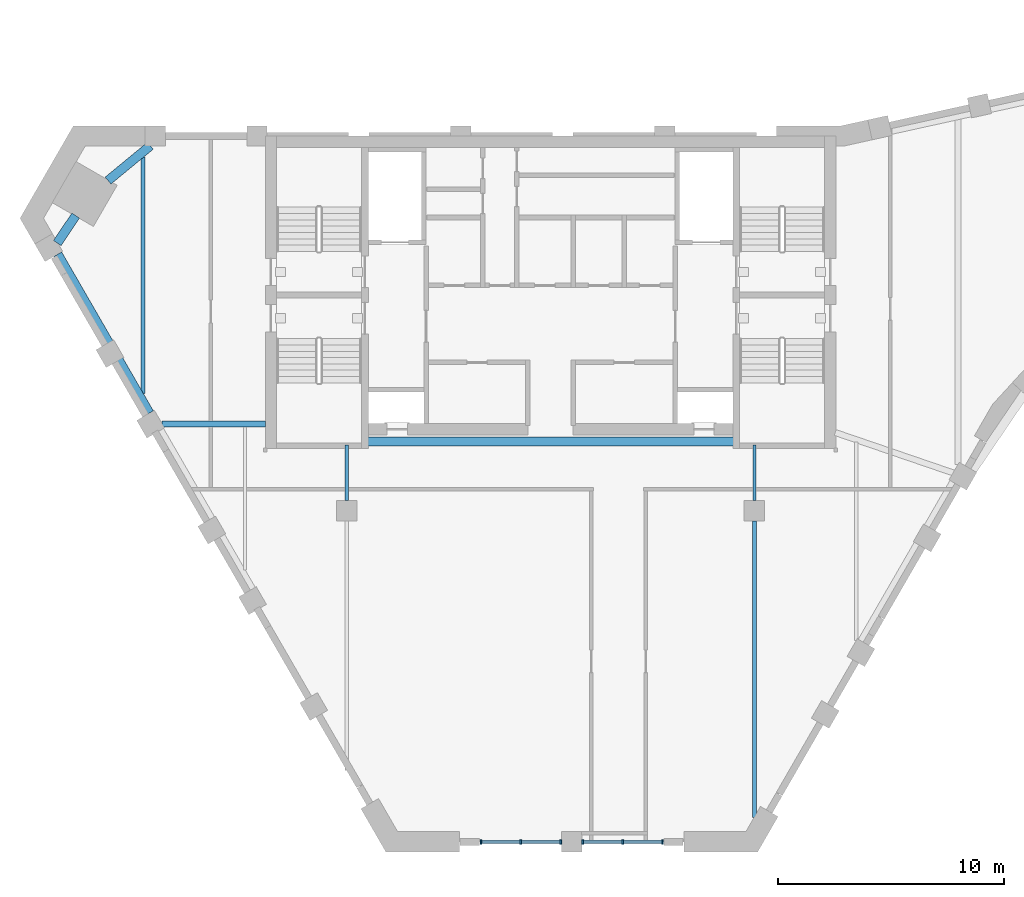
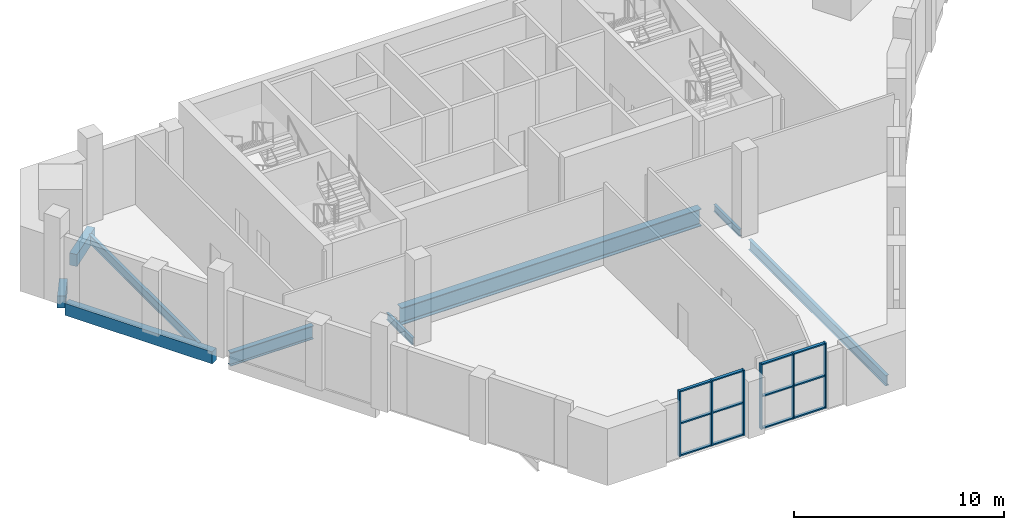
# One storey, part 2 of 9: 18 members, 9 beams, 2 elements without a shape of their own.
"""IFC4 building model written with IfcOpenShell, lengths in metres."""

from ifc_helpers import new_model, si_unit, direction, frame, origin, origin_2d, place, context, subcontext, project, spatial, rectangle, i_section, extrude, material, material_profile, profile_set, type_object, element, aggregate, save


model = new_model("IFC4")

# Units and contexts
model_context = context("Model", 3, precision=1e-05, world=origin(), true_north=direction((0.0, 1.0)))
body_context = subcontext(model_context, "Body", "Model", "MODEL_VIEW")
ifc_project = project(units=[si_unit("LENGTHUNIT", "METRE"), si_unit("AREAUNIT", "SQUARE_METRE"), si_unit("VOLUMEUNIT", "CUBIC_METRE"), si_unit("PLANEANGLEUNIT", "RADIAN"), si_unit("MASSUNIT", "GRAM", prefix="KILO")], contexts=[model_context])

# Site, building, storey
site_placement = place(None, origin())
site = spatial("IfcSite", under=ifc_project, at=site_placement, CompositionType="ELEMENT")
building_placement = place(site_placement, origin())
building = spatial("IfcBuilding", under=site, at=building_placement, Name="Calabash Gate Tower", CompositionType="ELEMENT")
storey_placement = place(building_placement, frame((0.0, 0.0, 320.5)))
storey = spatial("IfcBuildingStorey", under=building, at=storey_placement, Name="L75", CompositionType="ELEMENT", Elevation=320.5)

# Beams
ifc_material_1 = material(Name="Concrete C50/60", Category="concrete")
ifc_material_profile_1 = material_profile(ifc_material_1, rectangle(XDim=0.39990234375, YDim=0.699951171875, at=origin_2d()))
ifc_profile_set_1 = profile_set([ifc_material_profile_1], Name="Concrete C50/60")
beam_type_1 = type_object("IfcBeamType", Name="Edge beam RC 400x700 Concrete C50/60", PredefinedType="BEAM", material=ifc_profile_set_1)
beam_1_placement = place(storey_placement, frame((-17.673095703125, 18.623046875, -0.550048828125), z_axis=(-0.77193605732, -0.635700183585, 0.0), x_axis=(0.635700183585, -0.77193605732, 0.0)))
element("IfcBeam", 1, at=beam_1_placement, inside=storey, type_object=beam_type_1, Name="Edge beam L75 10", PredefinedType="BEAM", context=body_context, shape_type="SweptSolid", body=[
    extrude(rectangle(XDim=0.39990234375, YDim=0.699951171875, at=origin_2d()), origin(), (0.0, 0.0, 1.0), 2.421142578125),
])
beam_2_placement = place(storey_placement, frame((-20.97412109375, 15.535888671875, -0.550048828125), z_axis=(-0.556208441461, -0.831042820586, 0.0), x_axis=(0.831042820586, -0.556208441461, 0.0)))
element("IfcBeam", 2, at=beam_2_placement, inside=storey, type_object=beam_type_1, Name="Edge beam L75 11", PredefinedType="BEAM", context=body_context, shape_type="SweptSolid", body=[
    extrude(rectangle(XDim=0.39990234375, YDim=0.699951171875, at=origin_2d()), origin(), (0.0, 0.0, 1.0), 1.4560546875),
])
beam_3_placement = place(storey_placement, frame((-21.763916015625, 13.830078125, -0.550048828125), z_axis=(0.500016430238, -0.866015917575, 0.0), x_axis=(0.866015917575, 0.500016430238, 0.0)))
element("IfcBeam", 3, at=beam_3_placement, inside=storey, type_object=beam_type_1, Name="Edge beam L75 12", PredefinedType="BEAM", context=body_context, shape_type="SweptSolid", body=[
    extrude(rectangle(XDim=0.39990234375, YDim=0.699951171875, at=origin_2d()), origin(), (0.0, 0.0, 1.0), 8.099365234375),
])
ifc_material_2 = material(Name="Steel ASTM A992 Gr50", Category="steel")
ifc_material_profile_2 = material_profile(ifc_material_2, i_section(OverallWidth=0.1396484375, OverallDepth=0.398681640625, WebThickness=0.00634765625, FlangeThickness=0.0087890625, FilletRadius=0.01025390625, at=origin_2d()))
ifc_profile_set_2 = profile_set([ifc_material_profile_2], Name="Steel ASTM A992 Gr50")
beam_type_2 = type_object("IfcBeamType", Name="Floor beam W16x26 ASTM A992 Gr50", PredefinedType="BEAM", material=ifc_profile_set_2)
for number, where, z_axis, x_axis, name in (
    (4, (-9.0, 2.949951171875, -0.39892578125), (0.0, 1.0, 0.0), (-1.0, 0.0, 0.0), "Floor beam L75 4"),
    (5, (9.0, 2.949951171875, -0.39892578125), (0.0, 1.0, 0.0), (-1.0, 0.0, 0.0), "Floor beam L75 6"),
):
    element("IfcBeam", number, at=place(storey_placement, frame(where, z_axis=z_axis, x_axis=x_axis)), inside=storey, type_object=beam_type_2, Name=name, PredefinedType="BEAM", context=body_context, shape_type="SweptSolid", body=[
        extrude(i_section(OverallWidth=0.1396484375, OverallDepth=0.398681640625, WebThickness=0.00634765625, FlangeThickness=0.0087890625, FilletRadius=0.01025390625, at=origin_2d()), origin(), (0.0, 0.0, 1.0), 2.453125),
    ])
ifc_material_3 = material(Name="Steel ASTM A992 Gr50", Category="steel")
ifc_material_profile_3 = material_profile(ifc_material_3, i_section(OverallWidth=0.166015625, OverallDepth=0.5283203125, WebThickness=0.009765625, FlangeThickness=0.013671875, FilletRadius=0.0126953125, at=origin_2d()))
ifc_profile_set_3 = profile_set([ifc_material_profile_3], Name="Steel ASTM A992 Gr50")
beam_type_3 = type_object("IfcBeamType", Name="Floor beam W21x50 ASTM A992 Gr50", PredefinedType="BEAM", material=ifc_profile_set_3)
beam_4_placement = place(storey_placement, frame((-18.0, 7.679931640625, -0.464111328125), z_axis=(0.0, 1.0, 0.0), x_axis=(-1.0, 0.0, 0.0)))
element("IfcBeam", 6, at=beam_4_placement, inside=storey, type_object=beam_type_3, Name="Floor beam L75 1", PredefinedType="BEAM", context=body_context, shape_type="SweptSolid", body=[
    extrude(i_section(OverallWidth=0.166015625, OverallDepth=0.5283203125, WebThickness=0.009765625, FlangeThickness=0.013671875, FilletRadius=0.0126953125, at=origin_2d()), origin(), (0.0, 0.0, 1.0), 10.43701171875),
])
ifc_material_4 = material(Name="Steel ASTM A992 Gr50", Category="steel")
ifc_material_profile_4 = material_profile(ifc_material_4, i_section(OverallWidth=0.1787109375, OverallDepth=0.60205078125, WebThickness=0.010986328125, FlangeThickness=0.014892578125, FilletRadius=0.0126953125, at=origin_2d()))
ifc_profile_set_4 = profile_set([ifc_material_profile_4], Name="Steel ASTM A992 Gr50")
beam_type_4 = type_object("IfcBeamType", Name="Floor beam W24x62 ASTM A992 Gr50", PredefinedType="BEAM", material=ifc_profile_set_4)
beam_5_placement = place(storey_placement, frame((9.0, -11.041015625, -0.5009765625), z_axis=(0.0, 1.0, 0.0), x_axis=(-1.0, 0.0, 0.0)))
element("IfcBeam", 7, at=beam_5_placement, inside=storey, type_object=beam_type_4, Name="Floor beam L75 5", PredefinedType="BEAM", context=body_context, shape_type="SweptSolid", body=[
    extrude(i_section(OverallWidth=0.1787109375, OverallDepth=0.60205078125, WebThickness=0.010986328125, FlangeThickness=0.014892578125, FilletRadius=0.0126953125, at=origin_2d()), origin(), (0.0, 0.0, 1.0), 13.091064453125),
])
ifc_material_5 = material(Name="Steel ASTM A992 Gr50", Category="steel")
ifc_material_profile_5 = material_profile(ifc_material_5, i_section(OverallWidth=0.2666015625, OverallDepth=0.77978515625, WebThickness=0.0166015625, FlangeThickness=0.030029296875, FilletRadius=0.0166015625, at=origin_2d()))
ifc_profile_set_5 = profile_set([ifc_material_profile_5], Name="Steel ASTM A992 Gr50")
beam_type_5 = type_object("IfcBeamType", Name="Girder W30x148 ASTM A992 Gr50", PredefinedType="BEAM", material=ifc_profile_set_5)
beam_6_placement = place(storey_placement, frame((-17.1640625, 6.325927734375, -0.590087890625), z_axis=(1.0, 0.0, 0.0), x_axis=(0.0, 1.0, 0.0)))
element("IfcBeam", 8, at=beam_6_placement, inside=storey, type_object=beam_type_5, Name="Girder L75 2", PredefinedType="BEAM", context=body_context, shape_type="SweptSolid", body=[
    extrude(i_section(OverallWidth=0.2666015625, OverallDepth=0.77978515625, WebThickness=0.0166015625, FlangeThickness=0.030029296875, FilletRadius=0.0166015625, at=origin_2d()), origin(), (0.0, 0.0, 1.0), 4.56396484375),
])
ifc_material_6 = material(Name="Steel ASTM A992 Gr50", Category="steel")
ifc_material_profile_6 = material_profile(ifc_material_6, i_section(OverallWidth=0.4013671875, OverallDepth=1.000732421875, WebThickness=0.01904296875, FlangeThickness=0.0361328125, FilletRadius=0.030029296875, at=origin_2d()))
ifc_profile_set_6 = profile_set([ifc_material_profile_6], Name="Steel ASTM A992 Gr50")
beam_type_6 = type_object("IfcBeamType", Name="Girder W40x249 ASTM A992 Gr50", PredefinedType="BEAM", material=ifc_profile_set_6)
beam_7_placement = place(storey_placement, frame((-8.25, 5.552978515625, -0.699951171875), z_axis=(1.0, 0.0, 0.0), x_axis=(0.0, 1.0, 0.0)))
element("IfcBeam", 9, at=beam_7_placement, inside=storey, type_object=beam_type_6, Name="Girder L75 1", PredefinedType="BEAM", context=body_context, shape_type="SweptSolid", body=[
    extrude(i_section(OverallWidth=0.4013671875, OverallDepth=1.000732421875, WebThickness=0.01904296875, FlangeThickness=0.0361328125, FilletRadius=0.030029296875, at=origin_2d()), origin(), (0.0, 0.0, 1.0), 16.5),
])

# Curtain wall, members
ifc_material_7 = material(Name="Anodised aluminium frame, bronze finish, clear laminated impact-rated glazing", Category="aluminium")
curtain_wall_type = type_object("IfcCurtainWallType", Name="Curtain wall CWV crown wall", PredefinedType="NOTDEFINED", material=ifc_material_7)
curtain_wall_1_placement = place(storey_placement, origin())
curtain_wall_1 = element("IfcCurtainWall", 10, at=curtain_wall_1_placement, inside=storey, type_object=curtain_wall_type, Name="Curtain wall CWV L75 crown1.1", PredefinedType="NOTDEFINED")
ifc_material_8 = material(Name="Anodised aluminium frame, bronze finish", Category="aluminium")
ifc_material_profile_7 = material_profile(ifc_material_8, rectangle(XDim=0.199951171875, YDim=0.074951171875, at=origin_2d()))
ifc_profile_set_7 = profile_set([ifc_material_profile_7], Name="Anodised aluminium frame, bronze finish")
member_type_1 = type_object("IfcMemberType", Name="Mullion CWV 75x200", PredefinedType="MULLION", material=ifc_profile_set_7)
member_1_placement = place(storey_placement, frame((-3.07666015625, -12.1220703125, 0.0), z_axis=(0.0, 0.0, 1.0), x_axis=(0.0, 1.0, 0.0)))
member_1 = element("IfcMember", 11, at=member_1_placement, type_object=member_type_1, Name="CWV mullion 1", PredefinedType="MULLION", context=body_context, shape_type="SweptSolid", body=[
    extrude(rectangle(XDim=0.199951171875, YDim=0.074951171875, at=origin_2d()), origin(), (0.0, 0.0, 1.0), 3.800048828125),
])
member_2_placement = place(storey_placement, frame((-1.31396484375, -12.1220703125, 0.0), z_axis=(0.0, 0.0, 1.0), x_axis=(0.0, 1.0, 0.0)))
member_2 = element("IfcMember", 12, at=member_2_placement, type_object=member_type_1, Name="CWV mullion 2", PredefinedType="MULLION", context=body_context, shape_type="SweptSolid", body=[
    extrude(rectangle(XDim=0.199951171875, YDim=0.074951171875, at=origin_2d()), origin(), (0.0, 0.0, 1.0), 3.800048828125),
])
member_3_placement = place(storey_placement, frame((0.448486328125, -12.1220703125, 0.0), z_axis=(0.0, 0.0, 1.0), x_axis=(0.0, 1.0, 0.0)))
member_3 = element("IfcMember", 13, at=member_3_placement, type_object=member_type_1, Name="CWV mullion 3", PredefinedType="MULLION", context=body_context, shape_type="SweptSolid", body=[
    extrude(rectangle(XDim=0.199951171875, YDim=0.074951171875, at=origin_2d()), origin(), (0.0, 0.0, 1.0), 3.800048828125),
])

curtain_wall_2_placement = place(storey_placement, origin())
curtain_wall_2 = element("IfcCurtainWall", 14, at=curtain_wall_2_placement, inside=storey, type_object=curtain_wall_type, Name="Curtain wall CWV L75 crown1.2", PredefinedType="NOTDEFINED")
member_4_placement = place(storey_placement, frame((1.42333984375, -12.1220703125, 0.0), z_axis=(0.0, 0.0, 1.0), x_axis=(0.0, 1.0, 0.0)))
member_4 = element("IfcMember", 15, at=member_4_placement, type_object=member_type_1, Name="CWV mullion 1", PredefinedType="MULLION", context=body_context, shape_type="SweptSolid", body=[
    extrude(rectangle(XDim=0.199951171875, YDim=0.074951171875, at=origin_2d()), origin(), (0.0, 0.0, 1.0), 3.800048828125),
])
member_5_placement = place(storey_placement, frame((3.18603515625, -12.1220703125, 0.0), z_axis=(0.0, 0.0, 1.0), x_axis=(0.0, 1.0, 0.0)))
member_5 = element("IfcMember", 16, at=member_5_placement, type_object=member_type_1, Name="CWV mullion 2", PredefinedType="MULLION", context=body_context, shape_type="SweptSolid", body=[
    extrude(rectangle(XDim=0.199951171875, YDim=0.074951171875, at=origin_2d()), origin(), (0.0, 0.0, 1.0), 3.800048828125),
])
member_6_placement = place(storey_placement, frame((4.948486328125, -12.1220703125, 0.0), z_axis=(0.0, 0.0, 1.0), x_axis=(0.0, 1.0, 0.0)))
member_6 = element("IfcMember", 17, at=member_6_placement, type_object=member_type_1, Name="CWV mullion 3", PredefinedType="MULLION", context=body_context, shape_type="SweptSolid", body=[
    extrude(rectangle(XDim=0.199951171875, YDim=0.074951171875, at=origin_2d()), origin(), (0.0, 0.0, 1.0), 3.800048828125),
])

# Member
ifc_material_9 = material(Name="Anodised aluminium frame, bronze finish", Category="aluminium")
ifc_material_profile_8 = material_profile(ifc_material_9, rectangle(XDim=0.159912109375, YDim=0.074951171875, at=origin_2d()))
ifc_profile_set_8 = profile_set([ifc_material_profile_8], Name="Anodised aluminium frame, bronze finish")
member_type_2 = type_object("IfcMemberType", Name="Transom CWV 75x160", PredefinedType="USERDEFINED", material=ifc_profile_set_8)
member_7_placement = place(storey_placement, frame((-3.0390625, -12.1220703125, 0.03759765625), z_axis=(1.0, 0.0, 0.0), x_axis=(0.0, 1.0, 0.0)))
member_7 = element("IfcMember", 18, at=member_7_placement, type_object=member_type_2, Name="CWV transom 1.1", ObjectType="TRANSOM", PredefinedType="USERDEFINED", context=body_context, shape_type="SweptSolid", body=[
    extrude(rectangle(XDim=0.159912109375, YDim=0.074951171875, at=origin_2d()), origin(), (0.0, 0.0, 1.0), 1.6875),
])

member_8_placement = place(storey_placement, frame((-3.0390625, -12.1220703125, 1.89990234375), z_axis=(1.0, 0.0, 0.0), x_axis=(0.0, 1.0, 0.0)))
member_8 = element("IfcMember", 19, at=member_8_placement, type_object=member_type_2, Name="CWV transom 1.2", ObjectType="TRANSOM", PredefinedType="USERDEFINED", context=body_context, shape_type="SweptSolid", body=[
    extrude(rectangle(XDim=0.159912109375, YDim=0.074951171875, at=origin_2d()), origin(), (0.0, 0.0, 1.0), 1.6875),
])

member_9_placement = place(storey_placement, frame((-3.0390625, -12.1220703125, 3.762451171875), z_axis=(1.0, 0.0, 0.0), x_axis=(0.0, 1.0, 0.0)))
member_9 = element("IfcMember", 20, at=member_9_placement, type_object=member_type_2, Name="CWV transom 1.3", ObjectType="TRANSOM", PredefinedType="USERDEFINED", context=body_context, shape_type="SweptSolid", body=[
    extrude(rectangle(XDim=0.159912109375, YDim=0.074951171875, at=origin_2d()), origin(), (0.0, 0.0, 1.0), 1.6875),
])

member_10_placement = place(storey_placement, frame((-1.276611328125, -12.1220703125, 0.03759765625), z_axis=(1.0, 0.0, 0.0), x_axis=(0.0, 1.0, 0.0)))
member_10 = element("IfcMember", 21, at=member_10_placement, type_object=member_type_2, Name="CWV transom 2.1", ObjectType="TRANSOM", PredefinedType="USERDEFINED", context=body_context, shape_type="SweptSolid", body=[
    extrude(rectangle(XDim=0.159912109375, YDim=0.074951171875, at=origin_2d()), origin(), (0.0, 0.0, 1.0), 1.6875),
])

member_11_placement = place(storey_placement, frame((-1.276611328125, -12.1220703125, 1.89990234375), z_axis=(1.0, 0.0, 0.0), x_axis=(0.0, 1.0, 0.0)))
member_11 = element("IfcMember", 22, at=member_11_placement, type_object=member_type_2, Name="CWV transom 2.2", ObjectType="TRANSOM", PredefinedType="USERDEFINED", context=body_context, shape_type="SweptSolid", body=[
    extrude(rectangle(XDim=0.159912109375, YDim=0.074951171875, at=origin_2d()), origin(), (0.0, 0.0, 1.0), 1.6875),
])

member_12_placement = place(storey_placement, frame((-1.276611328125, -12.1220703125, 3.762451171875), z_axis=(1.0, 0.0, 0.0), x_axis=(0.0, 1.0, 0.0)))
member_12 = element("IfcMember", 23, at=member_12_placement, type_object=member_type_2, Name="CWV transom 2.3", ObjectType="TRANSOM", PredefinedType="USERDEFINED", context=body_context, shape_type="SweptSolid", body=[
    extrude(rectangle(XDim=0.159912109375, YDim=0.074951171875, at=origin_2d()), origin(), (0.0, 0.0, 1.0), 1.6875),
])

aggregate(curtain_wall_1, [member_1, member_2, member_3, member_7, member_8, member_9, member_10, member_11, member_12])

member_13_placement = place(storey_placement, frame((1.4609375, -12.1220703125, 0.03759765625), z_axis=(1.0, 0.0, 0.0), x_axis=(0.0, 1.0, 0.0)))
member_13 = element("IfcMember", 24, at=member_13_placement, type_object=member_type_2, Name="CWV transom 1.1", ObjectType="TRANSOM", PredefinedType="USERDEFINED", context=body_context, shape_type="SweptSolid", body=[
    extrude(rectangle(XDim=0.159912109375, YDim=0.074951171875, at=origin_2d()), origin(), (0.0, 0.0, 1.0), 1.6875),
])

member_14_placement = place(storey_placement, frame((1.4609375, -12.1220703125, 1.89990234375), z_axis=(1.0, 0.0, 0.0), x_axis=(0.0, 1.0, 0.0)))
member_14 = element("IfcMember", 25, at=member_14_placement, type_object=member_type_2, Name="CWV transom 1.2", ObjectType="TRANSOM", PredefinedType="USERDEFINED", context=body_context, shape_type="SweptSolid", body=[
    extrude(rectangle(XDim=0.159912109375, YDim=0.074951171875, at=origin_2d()), origin(), (0.0, 0.0, 1.0), 1.6875),
])

member_15_placement = place(storey_placement, frame((1.4609375, -12.1220703125, 3.762451171875), z_axis=(1.0, 0.0, 0.0), x_axis=(0.0, 1.0, 0.0)))
member_15 = element("IfcMember", 26, at=member_15_placement, type_object=member_type_2, Name="CWV transom 1.3", ObjectType="TRANSOM", PredefinedType="USERDEFINED", context=body_context, shape_type="SweptSolid", body=[
    extrude(rectangle(XDim=0.159912109375, YDim=0.074951171875, at=origin_2d()), origin(), (0.0, 0.0, 1.0), 1.6875),
])

member_16_placement = place(storey_placement, frame((3.223388671875, -12.1220703125, 0.03759765625), z_axis=(1.0, 0.0, 0.0), x_axis=(0.0, 1.0, 0.0)))
member_16 = element("IfcMember", 27, at=member_16_placement, type_object=member_type_2, Name="CWV transom 2.1", ObjectType="TRANSOM", PredefinedType="USERDEFINED", context=body_context, shape_type="SweptSolid", body=[
    extrude(rectangle(XDim=0.159912109375, YDim=0.074951171875, at=origin_2d()), origin(), (0.0, 0.0, 1.0), 1.6875),
])

member_17_placement = place(storey_placement, frame((3.223388671875, -12.1220703125, 1.89990234375), z_axis=(1.0, 0.0, 0.0), x_axis=(0.0, 1.0, 0.0)))
member_17 = element("IfcMember", 28, at=member_17_placement, type_object=member_type_2, Name="CWV transom 2.2", ObjectType="TRANSOM", PredefinedType="USERDEFINED", context=body_context, shape_type="SweptSolid", body=[
    extrude(rectangle(XDim=0.159912109375, YDim=0.074951171875, at=origin_2d()), origin(), (0.0, 0.0, 1.0), 1.6875),
])

member_18_placement = place(storey_placement, frame((3.223388671875, -12.1220703125, 3.762451171875), z_axis=(1.0, 0.0, 0.0), x_axis=(0.0, 1.0, 0.0)))
member_18 = element("IfcMember", 29, at=member_18_placement, type_object=member_type_2, Name="CWV transom 2.3", ObjectType="TRANSOM", PredefinedType="USERDEFINED", context=body_context, shape_type="SweptSolid", body=[
    extrude(rectangle(XDim=0.159912109375, YDim=0.074951171875, at=origin_2d()), origin(), (0.0, 0.0, 1.0), 1.6875),
])

aggregate(curtain_wall_2, [member_4, member_5, member_6, member_13, member_14, member_15, member_16, member_17, member_18])

save(model, "model.ifc")
